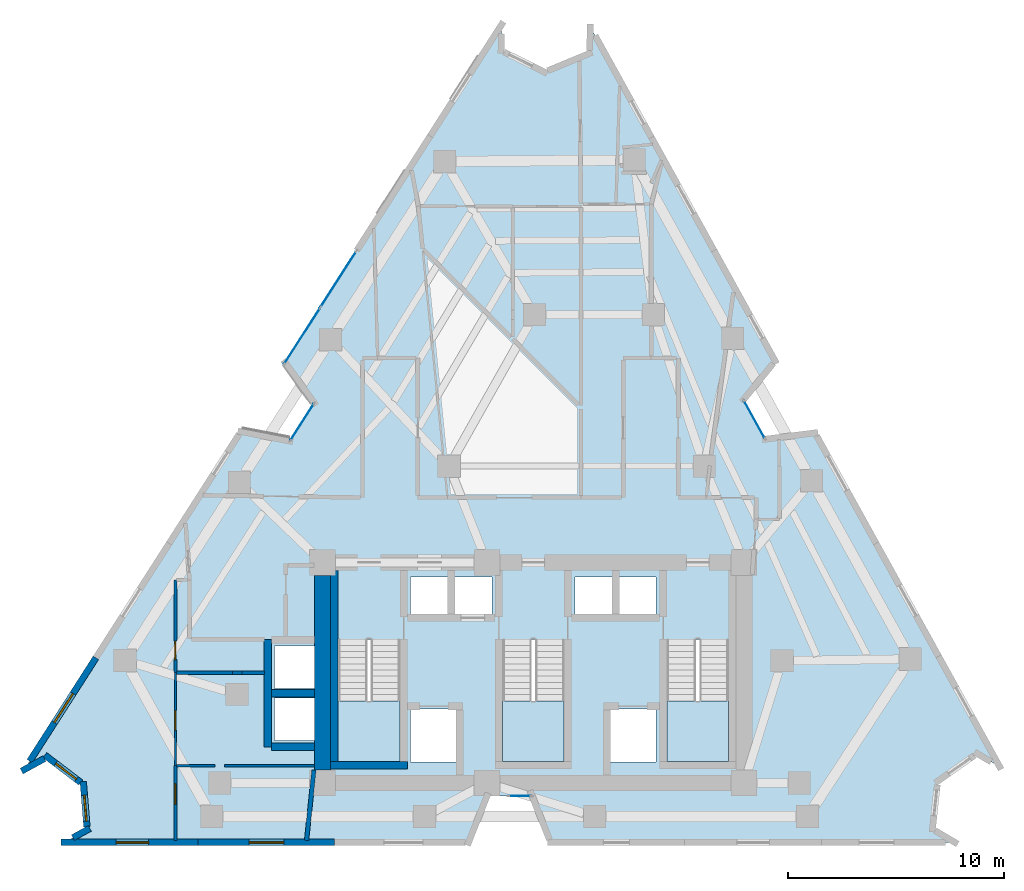
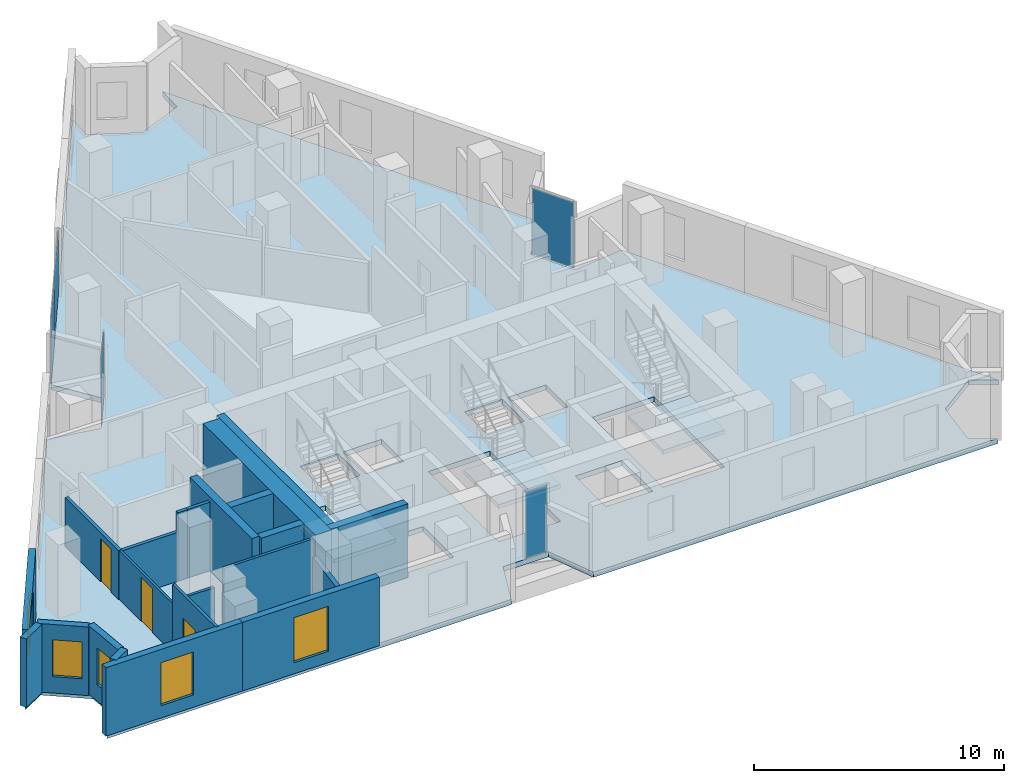
# One storey, part 5 of 10: 22 walls, 5 plates, 5 windows, 4 slabs, 3 doors, 8 openings, 7 elements without a shape of their own.
"""IFC4 building model written with IfcOpenShell, lengths in metres."""

from ifc_helpers import new_model, si_unit, direction, frame, frame_2d, origin, origin_2d, place, context, subcontext, project, spatial, polyline, rectangle, outline, extrude, material, layer, layer_set, type_object, element, fill, aggregate, save


model = new_model("IFC4")

# Units and contexts
model_context = context("Model", 3, precision=1e-05, world=origin(), true_north=direction((0.0, 1.0)))
body_context = subcontext(model_context, "Body", "Model", "MODEL_VIEW")
ifc_project = project(units=[si_unit("LENGTHUNIT", "METRE"), si_unit("AREAUNIT", "SQUARE_METRE"), si_unit("VOLUMEUNIT", "CUBIC_METRE"), si_unit("PLANEANGLEUNIT", "RADIAN"), si_unit("MASSUNIT", "GRAM", prefix="KILO")], contexts=[model_context])

# Site, building, storey
site_placement = place(None, origin())
site = spatial("IfcSite", under=ifc_project, at=site_placement, CompositionType="ELEMENT")
building_placement = place(site_placement, origin())
building = spatial("IfcBuilding", under=site, at=building_placement, Name="Almagre Mirador Tower", CompositionType="ELEMENT")
storey_placement = place(building_placement, frame((0.0, 0.0, 164.39990234375)))
storey = spatial("IfcBuildingStorey", under=building, at=storey_placement, Name="L42", CompositionType="ELEMENT", Elevation=164.39990234375)

# Curtain wall, plate
ifc_material_1 = material(Name="Black anodized aluminium", Category="aluminium")
ifc_layer_1 = layer(ifc_material_1, 0.169921875)
ifc_layer_set_1 = layer_set([ifc_layer_1], Name="Black anodized aluminium")
curtain_wall_type_1 = type_object("IfcCurtainWallType", Name="CW-CRS-SYS", PredefinedType="NOTDEFINED", material=ifc_layer_set_1)
curtain_wall_1_placement = place(storey_placement, origin())
curtain_wall_1 = element("IfcCurtainWall", 1, at=curtain_wall_1_placement, inside=storey, type_object=curtain_wall_type_1, Name="L42 vertical crease curtain wall 01", PredefinedType="NOTDEFINED")
ifc_material_2 = material(Name="Dark solar-control laminated hurricane glass", Category="glass")
ifc_layer_2 = layer(ifc_material_2, 0.028076171875)
ifc_layer_set_2 = layer_set([ifc_layer_2], Name="Dark solar-control laminated hurricane glass")
plate_type_1 = type_object("IfcPlateType", Name="PLT-GLZ-28", PredefinedType="CURTAIN_PANEL", material=ifc_layer_set_2)
plate_1_placement = place(storey_placement, frame((26.610107421875, 21.239990234375, 0.06005859375), z_axis=(0.0, 0.0, 1.0), x_axis=(0.539596564827, 0.841923718176, 0.0)))
plate_1 = element("IfcPlate", 2, at=plate_1_placement, type_object=plate_type_1, Name="CW-4 panel 1.1", PredefinedType="CURTAIN_PANEL", context=body_context, shape_type="SweptSolid", body=[
    extrude(rectangle(XDim=1.970458984375, YDim=0.028076171875, at=origin_2d()), origin(), (0.0, 0.0, 1.0), 3.22998046875),
])
aggregate(curtain_wall_1, [plate_1])

curtain_wall_2_placement = place(storey_placement, origin())
curtain_wall_2 = element("IfcCurtainWall", 3, at=curtain_wall_2_placement, inside=storey, type_object=curtain_wall_type_1, Name="L42 vertical crease curtain wall 03", PredefinedType="NOTDEFINED")
plate_2_placement = place(storey_placement, frame((47.51904296875, 21.35888671875, 0.06005859375), z_axis=(0.0, 0.0, 1.0), x_axis=(0.48434204979, -0.874878722341, 0.0)))
plate_2 = element("IfcPlate", 4, at=plate_2_placement, type_object=plate_type_1, Name="CW-4 panel 1.1", PredefinedType="CURTAIN_PANEL", context=body_context, shape_type="SweptSolid", body=[
    extrude(rectangle(XDim=1.969482421875, YDim=0.028076171875, at=origin_2d()), origin(), (0.0, 0.0, 1.0), 3.22998046875),
])
aggregate(curtain_wall_2, [plate_2])

curtain_wall_3_placement = place(storey_placement, origin())
curtain_wall_3 = element("IfcCurtainWall", 5, at=curtain_wall_3_placement, inside=storey, type_object=curtain_wall_type_1, Name="L42 vertical crease curtain wall 04", PredefinedType="NOTDEFINED")
plate_3_placement = place(storey_placement, frame((36.677490234375, 3.949951171875, 0.06005859375), z_axis=(0.0, 0.0, 1.0), x_axis=(-1.0, 0.0, 0.0)))
plate_3 = element("IfcPlate", 6, at=plate_3_placement, type_object=plate_type_1, Name="CW-4 panel 1.1", PredefinedType="CURTAIN_PANEL", context=body_context, shape_type="SweptSolid", body=[
    extrude(rectangle(XDim=1.014892578125, YDim=0.028076171875, at=origin_2d()), origin(), (0.0, 0.0, 1.0), 3.22998046875),
])
aggregate(curtain_wall_3, [plate_3])

# Curtain wall, plates
ifc_material_3 = material(Name="Black anodized aluminium", Category="aluminium")
ifc_layer_3 = layer(ifc_material_3, 0.199951171875)
ifc_layer_set_3 = layer_set([ifc_layer_3], Name="Black anodized aluminium")
curtain_wall_type_2 = type_object("IfcCurtainWallType", Name="CW-RES-H-SYS", PredefinedType="NOTDEFINED", material=ifc_layer_set_3)
curtain_wall_4_placement = place(storey_placement, origin())
curtain_wall_4 = element("IfcCurtainWall", 7, at=curtain_wall_4_placement, inside=storey, type_object=curtain_wall_type_2, Name="L42 curtain wall run 02", PredefinedType="NOTDEFINED")
ifc_material_4 = material(Name="Dark solar-control laminated hurricane glass", Category="glass")
ifc_layer_4 = layer(ifc_material_4, 0.035888671875)
ifc_layer_set_4 = layer_set([ifc_layer_4], Name="Dark solar-control laminated hurricane glass")
plate_type_2 = type_object("IfcPlateType", Name="PLT-GLZ-36", PredefinedType="CURTAIN_PANEL", material=ifc_layer_set_4)
plate_4_placement = place(storey_placement, frame((26.605712890625, 25.218017578125, 0.06494140625), z_axis=(0.0, 0.0, 1.0), x_axis=(0.539522040187, 0.841971477042, 0.0)))
plate_4 = element("IfcPlate", 8, at=plate_4_placement, type_object=plate_type_2, Name="CW-3 panel 1.1", PredefinedType="CURTAIN_PANEL", context=body_context, shape_type="SweptSolid", body=[
    extrude(rectangle(XDim=3.04345703125, YDim=0.035888671875, at=origin_2d()), origin(), (0.0, 0.0, 1.0), 3.219970703125),
])
plate_5_placement = place(storey_placement, frame((28.28271484375, 27.83544921875, 0.06494140625), z_axis=(0.0, 0.0, 1.0), x_axis=(0.539522040187, 0.841971477042, 0.0)))
plate_5 = element("IfcPlate", 9, at=plate_5_placement, type_object=plate_type_2, Name="CW-3 panel 2.1", PredefinedType="CURTAIN_PANEL", context=body_context, shape_type="SweptSolid", body=[
    extrude(rectangle(XDim=3.04345703125, YDim=0.035888671875, at=origin_2d()), origin(), (0.0, 0.0, 1.0), 3.219970703125),
])
aggregate(curtain_wall_4, [plate_4, plate_5])

# Slab
ifc_material_5 = material(Name="Concrete C45/55", Category="concrete")
ifc_layer_5 = layer(ifc_material_5, 0.25)
ifc_layer_set_5 = layer_set([ifc_layer_5], Name="Concrete C45/55")
slab_type_1 = type_object("IfcSlabType", Name="SLB-FLR-250", PredefinedType="FLOOR", material=ifc_layer_set_5)
slab_1_placement = place(storey_placement, frame((0.0, 0.0, -0.25)))
element("IfcSlab", 10, at=slab_1_placement, inside=storey, type_object=slab_type_1, Name="L42 structural floor slab", PredefinedType="FLOOR", context=body_context, shape_type="SweptSolid", body=[
    extrude(outline(polyline([(13.758056640625, 5.16796875), (14.823974609375, 5.7509765625), (16.49609375, 4.47705078125), (16.666015625, 2.383056640625), (15.60009765625, 1.800048828125), (34.300048828125, 1.800048828125), (35.155029296875, 3.949951171875), (37.2451171875, 3.949951171875), (38.10009765625, 1.800048828125), (56.800048828125, 1.800048828125), (55.7529296875, 2.4169921875), (55.992919921875, 4.634033203125), (57.81689453125, 5.9169921875), (58.863037109375, 5.300048828125), (50.320068359375, 20.738037109375), (48.02490234375, 20.445068359375), (47.012939453125, 22.27294921875), (48.47998046875, 24.06201171875), (39.93701171875, 39.5), (39.89794921875, 38.285888671875), (37.820068359375, 37.423095703125), (35.802978515625, 38.41796875), (35.842041015625, 39.632080078125), (25.824951171875, 24.0), (27.174072265625, 22.1201171875), (26.0458984375, 20.360107421875), (23.77490234375, 20.800048828125), (13.758056640625, 5.16796875)]), holes=[polyline([(43.47509765625, 5.550048828125), (43.47509765625, 11.196044921875), (46.324951171875, 11.196044921875), (46.324951171875, 5.550048828125), (43.47509765625, 5.550048828125)]), polyline([(40.820068359375, 5.52001953125), (40.820068359375, 7.97998046875), (42.97998046875, 7.97998046875), (42.97998046875, 5.52001953125), (40.820068359375, 5.52001953125)]), polyline([(41.219970703125, 12.320068359375), (41.219970703125, 14.080078125), (42.97998046875, 14.080078125), (42.97998046875, 12.320068359375), (41.219970703125, 12.320068359375)]), polyline([(39.219970703125, 12.320068359375), (39.219970703125, 14.080078125), (40.97998046875, 14.080078125), (40.97998046875, 12.320068359375), (39.219970703125, 12.320068359375)]), polyline([(35.875, 11.196044921875), (38.72509765625, 11.196044921875), (38.72509765625, 5.550048828125), (35.875, 5.550048828125), (35.875, 11.196044921875)]), polyline([(35.3798828125, 12.320068359375), (33.6201171875, 12.320068359375), (33.6201171875, 14.080078125), (35.3798828125, 14.080078125), (35.3798828125, 12.320068359375)]), polyline([(33.780029296875, 5.52001953125), (31.6201171875, 5.52001953125), (31.6201171875, 7.97998046875), (33.780029296875, 7.97998046875), (33.780029296875, 5.52001953125)]), polyline([(31.6201171875, 12.320068359375), (31.6201171875, 14.080078125), (33.3798828125, 14.080078125), (33.3798828125, 12.320068359375), (31.6201171875, 12.320068359375)]), polyline([(28.27490234375, 5.550048828125), (28.27490234375, 11.196044921875), (31.125, 11.196044921875), (31.125, 5.550048828125), (28.27490234375, 5.550048828125)]), polyline([(25.320068359375, 8.919921875), (25.320068359375, 10.8798828125), (27.3798828125, 10.8798828125), (27.3798828125, 8.919921875), (25.320068359375, 8.919921875)]), polyline([(27.3798828125, 6.52001953125), (25.320068359375, 6.52001953125), (25.320068359375, 8.47998046875), (27.3798828125, 8.47998046875), (27.3798828125, 6.52001953125)])]), origin(), (0.0, 0.0, 1.0), 0.25),
])

# Stair, slab
ifc_material_6 = material(Name="Concrete C45/55", Category="concrete")
stair_type = type_object("IfcStairType", Name="STR-DL-3600", PredefinedType="HALF_TURN_STAIR", material=ifc_material_6)
stair_1_placement = place(storey_placement, origin())
stair_1 = element("IfcStair", 11, at=stair_1_placement, inside=storey, type_object=stair_type, Name="L42 Protected exit stair ST-1", PredefinedType="HALF_TURN_STAIR")
ifc_material_7 = material(Name="Concrete C45/55", Category="concrete")
ifc_layer_6 = layer(ifc_material_7, 0.199951171875)
ifc_layer_set_6 = layer_set([ifc_layer_6], Name="Concrete C45/55")
slab_type_2 = type_object("IfcSlabType", Name="SLB-LND-200", PredefinedType="LANDING", material=ifc_layer_set_6)
slab_2_placement = place(storey_placement, frame((0.0, 0.0, 1.60009765625)))
slab_2 = element("IfcSlab", 12, at=slab_2_placement, type_object=slab_type_2, Name="ST-1 landing 1", PredefinedType="LANDING", context=body_context, shape_type="SweptSolid", body=[
    extrude(outline(polyline([(28.27490234375, 8.35009765625), (28.27490234375, 5.550048828125), (31.125, 5.550048828125), (31.125, 8.35009765625), (28.27490234375, 8.35009765625)])), origin(), (0.0, 0.0, 1.0), 0.199951171875),
])
aggregate(stair_1, [slab_2])

stair_2_placement = place(storey_placement, origin())
stair_2 = element("IfcStair", 13, at=stair_2_placement, inside=storey, type_object=stair_type, Name="L42 Protected exit stair ST-2", PredefinedType="HALF_TURN_STAIR")
slab_3_placement = place(storey_placement, frame((0.0, 0.0, 1.60009765625)))
slab_3 = element("IfcSlab", 14, at=slab_3_placement, type_object=slab_type_2, Name="ST-2 landing 1", PredefinedType="LANDING", context=body_context, shape_type="SweptSolid", body=[
    extrude(outline(polyline([(35.875, 8.35009765625), (35.875, 5.550048828125), (38.72509765625, 5.550048828125), (38.72509765625, 8.35009765625), (35.875, 8.35009765625)])), origin(), (0.0, 0.0, 1.0), 0.199951171875),
])
aggregate(stair_2, [slab_3])

stair_3_placement = place(storey_placement, origin())
stair_3 = element("IfcStair", 15, at=stair_3_placement, inside=storey, type_object=stair_type, Name="L42 Protected exit stair ST-3", PredefinedType="HALF_TURN_STAIR")
slab_4_placement = place(storey_placement, frame((0.0, 0.0, 1.60009765625)))
slab_4 = element("IfcSlab", 16, at=slab_4_placement, type_object=slab_type_2, Name="ST-3 landing 1", PredefinedType="LANDING", context=body_context, shape_type="SweptSolid", body=[
    extrude(outline(polyline([(43.47509765625, 8.35009765625), (43.47509765625, 5.550048828125), (46.324951171875, 5.550048828125), (46.324951171875, 8.35009765625), (43.47509765625, 8.35009765625)])), origin(), (0.0, 0.0, 1.0), 0.199951171875),
])
aggregate(stair_3, [slab_4])

# Wall, opening, window
ifc_material_8 = material(Name="Precast concrete C50/60", Category="concrete")
ifc_layer_7 = layer(ifc_material_8, 0.300048828125)
ifc_layer_set_7 = layer_set([ifc_layer_7], Name="Precast concrete C50/60")
wall_type_1 = type_object("IfcWallType", Name="WAL-EXT-300", PredefinedType="SOLIDWALL", material=ifc_layer_set_7)
wall_1_placement = place(storey_placement, frame((28.11328125, 1.800048828125, 0.0), z_axis=(0.0, 0.0, 1.0), x_axis=(-1.0, 0.0, 0.0)))
wall_1 = element("IfcWall", 17, at=wall_1_placement, inside=storey, type_object=wall_type_1, Name="L42 expressed almagre precast frame wall 27", PredefinedType="SOLIDWALL", context=body_context, shape_type="SweptSolid", body=[
    extrude(rectangle(XDim=6.32666015625, YDim=0.300048828125, at=frame_2d((3.163330078125, 0.0))), origin(), (0.0, 0.0, 1.0), 3.35009765625),
])
opening_1_placement = place(wall_1_placement, frame((2.35009765625, 0.0, 0.550048828125)))
opening_1 = element("IfcOpeningElement", 18, at=opening_1_placement, cuts=wall_1, Name="Opening WN-06", PredefinedType="OPENING", context=body_context, shape_type="SweptSolid", body=[
    extrude(rectangle(XDim=1.60009765625, YDim=2.199951171875, at=frame_2d((0.800048828125, 1.10009765625))), frame((0.0, 0.159902, 0.0), z_axis=(0.0, -1.0, 0.0), x_axis=(1.0, 0.0, 0.0)), (0.0, 0.0, 1.0), 0.320049),
])
ifc_material_9 = material(Name="Dark solar-control laminated hurricane glass", Category="glass")
window_type_1 = type_object("IfcWindowType", Name="WIN-1600X2200", PartitioningType="DOUBLE_PANEL_VERTICAL", PredefinedType="WINDOW", material=ifc_material_9)
window_1_placement = place(opening_1_placement, origin())
window_1 = element("IfcWindow", 19, at=window_1_placement, inside=storey, type_object=window_type_1, Name="L42 recessed hurricane window L42-UA-KT", OverallHeight=2.199951171875, OverallWidth=1.60009765625, PartitioningType="SINGLE_PANEL", PredefinedType="WINDOW", context=body_context, shape_type="SweptSolid", body=[
    extrude(rectangle(XDim=1.60009765625, YDim=2.199951171875, at=frame_2d((0.800048828125, 1.10009765625))), frame((0.0, 0.030029296875, 0.0), z_axis=(0.0, -1.0, 0.0), x_axis=(1.0, 0.0, 0.0)), (0.0, 0.0, 1.0), 0.06005859375),
])
fill(opening_1, window_1)

wall_2_placement = place(storey_placement, frame((21.78662109375, 1.800048828125, 0.0), z_axis=(0.0, 0.0, 1.0), x_axis=(-1.0, 0.0, 0.0)))
wall_2 = element("IfcWall", 20, at=wall_2_placement, inside=storey, type_object=wall_type_1, Name="L42 expressed almagre precast frame wall 28", PredefinedType="SOLIDWALL", context=body_context, shape_type="SweptSolid", body=[
    extrude(rectangle(XDim=6.32666015625, YDim=0.300048828125, at=frame_2d((3.163330078125, 0.0))), origin(), (0.0, 0.0, 1.0), 3.35009765625),
])
opening_2_placement = place(wall_2_placement, frame((2.27490234375, 0.0, 0.60009765625)))
opening_2 = element("IfcOpeningElement", 21, at=opening_2_placement, cuts=wall_2, Name="Opening WN-03", PredefinedType="OPENING", context=body_context, shape_type="SweptSolid", body=[
    extrude(rectangle(XDim=1.5, YDim=2.10009765625, at=frame_2d((0.75, 1.050048828125))), frame((0.0, 0.159902, 0.0), z_axis=(0.0, -1.0, 0.0), x_axis=(1.0, 0.0, 0.0)), (0.0, 0.0, 1.0), 0.320049),
])
ifc_material_10 = material(Name="Dark solar-control laminated hurricane glass", Category="glass")
window_type_2 = type_object("IfcWindowType", Name="WIN-1500X2100", PartitioningType="DOUBLE_PANEL_VERTICAL", PredefinedType="WINDOW", material=ifc_material_10)
window_2_placement = place(opening_2_placement, origin())
window_2 = element("IfcWindow", 22, at=window_2_placement, inside=storey, type_object=window_type_2, Name="L42 recessed hurricane window L42-UA-LV", OverallHeight=2.10009765625, OverallWidth=1.5, PartitioningType="SINGLE_PANEL", PredefinedType="WINDOW", context=body_context, shape_type="SweptSolid", body=[
    extrude(rectangle(XDim=1.5, YDim=2.10009765625, at=frame_2d((0.75, 1.050048828125))), frame((0.0, 0.030029296875, 0.0), z_axis=(0.0, -1.0, 0.0), x_axis=(1.0, 0.0, 0.0)), (0.0, 0.0, 1.0), 0.06005859375),
])
fill(opening_2, window_2)

# Wall
wall_3_placement = place(storey_placement, frame((16.012451171875, 2.025390625, 0.0), z_axis=(0.0, 0.0, 1.0), x_axis=(0.877262241919, 0.480011415389, 0.0)))
element("IfcWall", 23, at=wall_3_placement, inside=storey, type_object=wall_type_1, Name="L42 expressed almagre precast frame wall 29", PredefinedType="SOLIDWALL", context=body_context, shape_type="SweptSolid", body=[
    extrude(rectangle(XDim=0.885009765625, YDim=0.300048828125, at=frame_2d((0.4423828125, 0.0))), origin(), (0.0, 0.0, 1.0), 3.35009765625),
])

# Wall, opening, window
wall_4_placement = place(storey_placement, frame((16.654296875, 2.527587890625, 0.0), z_axis=(0.0, 0.0, 1.0), x_axis=(-0.080962879454, 0.996717117416, 0.0)))
wall_4 = element("IfcWall", 24, at=wall_4_placement, inside=storey, type_object=wall_type_1, Name="L42 expressed almagre precast frame wall 30", PredefinedType="SOLIDWALL", context=body_context, shape_type="SweptSolid", body=[
    extrude(rectangle(XDim=2.095703125, YDim=0.300048828125, at=frame_2d((1.0478515625, 0.0))), origin(), (0.0, 0.0, 1.0), 3.35009765625),
])
opening_3_placement = place(wall_4_placement, frame((0.264892578125, 0.0, 0.800048828125)))
opening_3 = element("IfcOpeningElement", 25, at=opening_3_placement, cuts=wall_4, Name="Opening WN-04", PredefinedType="OPENING", context=body_context, shape_type="SweptSolid", body=[
    extrude(rectangle(XDim=1.199951171875, YDim=1.800048828125, at=frame_2d((0.60009765625, 0.89990234375))), frame((0.0, 0.159902, 0.0), z_axis=(0.0, -1.0, 0.0), x_axis=(1.0, 0.0, 0.0)), (0.0, 0.0, 1.0), 0.320049),
])
ifc_material_11 = material(Name="Dark solar-control laminated hurricane glass", Category="glass")
window_type_3 = type_object("IfcWindowType", Name="WIN-1200X1800", PartitioningType="SINGLE_PANEL", PredefinedType="WINDOW", material=ifc_material_11)
window_3_placement = place(opening_3_placement, origin())
window_3 = element("IfcWindow", 26, at=window_3_placement, inside=storey, type_object=window_type_3, Name="L42 recessed hurricane window L42-UA-LV", OverallHeight=1.800048828125, OverallWidth=1.199951171875, PartitioningType="SINGLE_PANEL", PredefinedType="WINDOW", context=body_context, shape_type="SweptSolid", body=[
    extrude(rectangle(XDim=1.199951171875, YDim=1.800048828125, at=frame_2d((0.60009765625, 0.89990234375))), frame((0.0, 0.030029296875, 0.0), z_axis=(0.0, -1.0, 0.0), x_axis=(1.0, 0.0, 0.0)), (0.0, 0.0, 1.0), 0.06005859375),
])
fill(opening_3, window_3)

wall_5_placement = place(storey_placement, frame((16.376708984375, 4.56787109375, 0.0), z_axis=(0.0, 0.0, 1.0), x_axis=(-0.795383499791, 0.606106499107, 0.0)))
wall_5 = element("IfcWall", 27, at=wall_5_placement, inside=storey, type_object=wall_type_1, Name="L42 expressed almagre precast frame wall 31", PredefinedType="SOLIDWALL", context=body_context, shape_type="SweptSolid", body=[
    extrude(rectangle(XDim=2.092041015625, YDim=0.300048828125, at=frame_2d((1.0458984375, 0.0))), origin(), (0.0, 0.0, 1.0), 3.35009765625),
])
opening_4_placement = place(wall_5_placement, frame((0.260009765625, 0.0, 0.800048828125)))
opening_4 = element("IfcOpeningElement", 28, at=opening_4_placement, cuts=wall_5, Name="Opening WN-04", PredefinedType="OPENING", context=body_context, shape_type="SweptSolid", body=[
    extrude(rectangle(XDim=1.199951171875, YDim=1.800048828125, at=frame_2d((0.60009765625, 0.89990234375))), frame((0.0, 0.159902, 0.0), z_axis=(0.0, -1.0, 0.0), x_axis=(1.0, 0.0, 0.0)), (0.0, 0.0, 1.0), 0.320049),
])
window_4_placement = place(opening_4_placement, origin())
window_4 = element("IfcWindow", 29, at=window_4_placement, inside=storey, type_object=window_type_3, Name="L42 recessed hurricane window L42-UA-LV", OverallHeight=1.800048828125, OverallWidth=1.199951171875, PartitioningType="SINGLE_PANEL", PredefinedType="WINDOW", context=body_context, shape_type="SweptSolid", body=[
    extrude(rectangle(XDim=1.199951171875, YDim=1.800048828125, at=frame_2d((0.60009765625, 0.89990234375))), frame((0.0, 0.030029296875, 0.0), z_axis=(0.0, -1.0, 0.0), x_axis=(1.0, 0.0, 0.0)), (0.0, 0.0, 1.0), 0.06005859375),
])
fill(opening_4, window_4)

# Wall
wall_6_placement = place(storey_placement, frame((14.69677734375, 5.681396484375, 0.0), z_axis=(0.0, 0.0, 1.0), x_axis=(-0.877355211776, -0.47984146587, 0.0)))
element("IfcWall", 30, at=wall_6_placement, inside=storey, type_object=wall_type_1, Name="L42 expressed almagre precast frame wall 32", PredefinedType="SOLIDWALL", context=body_context, shape_type="SweptSolid", body=[
    extrude(rectangle(XDim=1.2099609375, YDim=0.300048828125, at=frame_2d((0.60498046875, 0.0))), origin(), (0.0, 0.0, 1.0), 3.35009765625),
])

# Wall, opening, window
wall_7_placement = place(storey_placement, frame((14.01171875, 5.563720703125, 0.0), z_axis=(0.0, 0.0, 1.0), x_axis=(0.539510437932, 0.841978911471, 0.0)))
wall_7 = element("IfcWall", 31, at=wall_7_placement, inside=storey, type_object=wall_type_1, Name="L42 expressed almagre precast frame wall 33", PredefinedType="SOLIDWALL", context=body_context, shape_type="SweptSolid", body=[
    extrude(rectangle(XDim=5.671875, YDim=0.300048828125, at=frame_2d((2.8359375, 0.0))), origin(), (0.0, 0.0, 1.0), 3.35009765625),
])
opening_5_placement = place(wall_7_placement, frame((2.114990234375, 0.0, 0.550048828125)))
opening_5 = element("IfcOpeningElement", 32, at=opening_5_placement, cuts=wall_7, Name="Opening WN-06", PredefinedType="OPENING", context=body_context, shape_type="SweptSolid", body=[
    extrude(rectangle(XDim=1.60009765625, YDim=2.199951171875, at=frame_2d((0.800048828125, 1.10009765625))), frame((0.0, 0.159902, 0.0), z_axis=(0.0, -1.0, 0.0), x_axis=(1.0, 0.0, 0.0)), (0.0, 0.0, 1.0), 0.320049),
])
window_5_placement = place(opening_5_placement, origin())
window_5 = element("IfcWindow", 33, at=window_5_placement, inside=storey, type_object=window_type_1, Name="L42 recessed hurricane window L42-UA-LV", OverallHeight=2.199951171875, OverallWidth=1.60009765625, PartitioningType="SINGLE_PANEL", PredefinedType="WINDOW", context=body_context, shape_type="SweptSolid", body=[
    extrude(rectangle(XDim=1.60009765625, YDim=2.199951171875, at=frame_2d((0.800048828125, 1.10009765625))), frame((0.0, 0.030029296875, 0.0), z_axis=(0.0, -1.0, 0.0), x_axis=(1.0, 0.0, 0.0)), (0.0, 0.0, 1.0), 0.06005859375),
])
fill(opening_5, window_5)

# Wall, opening, door
ifc_material_12 = material(Name="Gypsum acoustic stud partition", Category="other")
ifc_layer_8 = layer(ifc_material_12, 0.10009765625)
ifc_layer_set_8 = layer_set([ifc_layer_8], Name="Gypsum acoustic stud partition")
wall_type_2 = type_object("IfcWallType", Name="WAL-PRT-100-CLS", PredefinedType="PARTITIONING", material=ifc_layer_set_8)
wall_8_placement = place(storey_placement, frame((20.75, 5.35009765625, 0.0), z_axis=(0.0, 0.0, 1.0), x_axis=(0.0, 1.0, 0.0)))
wall_8 = element("IfcWall", 34, at=wall_8_placement, inside=storey, type_object=wall_type_2, Name="L42 interior partition 023", PredefinedType="PARTITIONING", context=body_context, shape_type="SweptSolid", body=[
    extrude(rectangle(XDim=4.2998046875, YDim=0.10009765625, at=frame_2d((2.14990234375, 0.0))), origin(), (0.0, 0.0, 1.0), 2.39306640625),
])
opening_6_placement = place(wall_8_placement, frame((1.64208984375, 0.0, 0.0)))
opening_6 = element("IfcOpeningElement", 35, at=opening_6_placement, cuts=wall_8, Name="Opening UD-02", PredefinedType="OPENING", context=body_context, shape_type="SweptSolid", body=[
    extrude(rectangle(XDim=0.89990234375, YDim=2.14990234375, at=frame_2d((0.449951171875, 1.074951171875))), frame((0.0, 0.060049, 0.0), z_axis=(0.0, -1.0, 0.0), x_axis=(1.0, 0.0, 0.0)), (0.0, 0.0, 1.0), 0.120098),
])
ifc_material_13 = material(Name="Solid American walnut timber", Category="wood")
door_type_1 = type_object("IfcDoorType", Name="DOR-UNR-900X2150", OperationType="NOTDEFINED", PredefinedType="DOOR", material=ifc_material_13)
door_1_placement = place(opening_6_placement, origin())
door_1 = element("IfcDoor", 36, at=door_1_placement, inside=storey, type_object=door_type_1, Name="DR-1357 L42 interior door L42-UA-LV to L42-UA-MB", OperationType="SINGLE_SWING_RIGHT", OverallHeight=2.14990234375, OverallWidth=0.89990234375, PredefinedType="DOOR", context=body_context, shape_type="SweptSolid", body=[
    extrude(rectangle(XDim=0.89990234375, YDim=2.14990234375, at=frame_2d((0.449951171875, 1.074951171875))), frame((0.0, 0.02490234375, 0.0), z_axis=(0.0, -1.0, 0.0), x_axis=(1.0, 0.0, 0.0)), (0.0, 0.0, 1.0), 0.050048828125),
])
fill(opening_6, door_1)

ifc_material_14 = material(Name="Gypsum acoustic stud partition", Category="other")
ifc_layer_9 = layer(ifc_material_14, 0.125)
ifc_layer_set_9 = layer_set([ifc_layer_9], Name="Gypsum acoustic stud partition")
wall_type_3 = type_object("IfcWallType", Name="WAL-PRT-125-UTL", PredefinedType="PARTITIONING", material=ifc_layer_set_9)
wall_9_placement = place(storey_placement, frame((20.75, 1.89990234375, 0.0), z_axis=(0.0, 0.0, 1.0), x_axis=(0.0, 1.0, 0.0)))
wall_9 = element("IfcWall", 37, at=wall_9_placement, inside=storey, type_object=wall_type_3, Name="L42 interior partition 022", PredefinedType="PARTITIONING", context=body_context, shape_type="SweptSolid", body=[
    extrude(rectangle(XDim=3.4501953125, YDim=0.125, at=frame_2d((1.72509765625, 0.0))), origin(), (0.0, 0.0, 1.0), 3.35009765625),
])
opening_7_placement = place(wall_9_placement, frame((1.6640625, 0.0, 0.0)))
opening_7 = element("IfcOpeningElement", 38, at=opening_7_placement, cuts=wall_9, Name="Opening UD-01", PredefinedType="OPENING", context=body_context, shape_type="SweptSolid", body=[
    extrude(rectangle(XDim=0.949951171875, YDim=2.199951171875, at=frame_2d((0.47509765625, 1.10009765625))), frame((0.0, 0.0725, 0.0), z_axis=(0.0, -1.0, 0.0), x_axis=(1.0, 0.0, 0.0)), (0.0, 0.0, 1.0), 0.145),
])
ifc_material_15 = material(Name="Solid American walnut timber", Category="wood")
door_type_2 = type_object("IfcDoorType", Name="DOR-UNR-950X2200", OperationType="NOTDEFINED", PredefinedType="DOOR", material=ifc_material_15)
door_2_placement = place(opening_7_placement, origin())
door_2 = element("IfcDoor", 39, at=door_2_placement, inside=storey, type_object=door_type_2, Name="DR-1355 L42 interior door L42-UA-LV to L42-UA-KT", OperationType="SINGLE_SWING_RIGHT", OverallHeight=2.199951171875, OverallWidth=0.949951171875, PredefinedType="DOOR", context=body_context, shape_type="SweptSolid", body=[
    extrude(rectangle(XDim=0.949951171875, YDim=2.199951171875, at=frame_2d((0.47509765625, 1.10009765625))), frame((0.0, 0.02490234375, 0.0), z_axis=(0.0, -1.0, 0.0), x_axis=(1.0, 0.0, 0.0)), (0.0, 0.0, 1.0), 0.050048828125),
])
fill(opening_7, door_2)

# Walls
wall_10_placement = place(storey_placement, frame((22.580078125, 5.35009765625, 0.0), z_axis=(0.0, 0.0, 1.0), x_axis=(-1.0, 0.0, 0.0)))
element("IfcWall", 40, at=wall_10_placement, inside=storey, type_object=wall_type_3, Name="L42 interior partition 026", PredefinedType="PARTITIONING", context=body_context, shape_type="SweptSolid", body=[
    extrude(rectangle(XDim=1.782470703125, YDim=0.125, at=frame_2d((0.89111328125, 0.0))), origin(), (0.0, 0.0, 1.0), 2.570068359375),
])
wall_11_placement = place(storey_placement, frame((27.175048828125, 5.35009765625, 0.0), z_axis=(0.0, 0.0, 1.0), x_axis=(-1.0, 0.0, 0.0)))
element("IfcWall", 41, at=wall_11_placement, inside=storey, type_object=wall_type_3, Name="L42 interior partition 027", PredefinedType="PARTITIONING", context=body_context, shape_type="SweptSolid", body=[
    extrude(rectangle(XDim=4.155029296875, YDim=0.125, at=frame_2d((2.07763671875, 0.0))), origin(), (0.0, 0.0, 1.0), 3.35009765625),
])

# Wall, opening, door
ifc_material_16 = material(Name="Gypsum acoustic stud partition", Category="other")
ifc_layer_10 = layer(ifc_material_16, 0.14990234375)
ifc_layer_set_10 = layer_set([ifc_layer_10], Name="Gypsum acoustic stud partition")
wall_type_4 = type_object("IfcWallType", Name="WAL-PRT-150-STD", PredefinedType="PARTITIONING", material=ifc_layer_set_10)
wall_12_placement = place(storey_placement, frame((20.75, 9.64990234375, 0.0), z_axis=(0.0, 0.0, 1.0), x_axis=(0.0, 1.0, 0.0)))
wall_12 = element("IfcWall", 42, at=wall_12_placement, inside=storey, type_object=wall_type_4, Name="L42 interior partition 020", PredefinedType="PARTITIONING", context=body_context, shape_type="SweptSolid", body=[
    extrude(rectangle(XDim=4.2900390625, YDim=0.14990234375, at=frame_2d((2.14501953125, 0.0))), origin(), (0.0, 0.0, 1.0), 2.39306640625),
])
opening_8_placement = place(wall_12_placement, frame((0.608154296875, 0.0, 0.0)))
opening_8 = element("IfcOpeningElement", 43, at=opening_8_placement, cuts=wall_12, Name="Opening UD-04", PredefinedType="OPENING", context=body_context, shape_type="SweptSolid", body=[
    extrude(rectangle(XDim=0.85009765625, YDim=2.10009765625, at=frame_2d((0.425048828125, 1.050048828125))), frame((0.0, 0.084951, 0.0), z_axis=(0.0, -1.0, 0.0), x_axis=(1.0, 0.0, 0.0)), (0.0, 0.0, 1.0), 0.169902),
])
ifc_material_17 = material(Name="Moisture-resistant oak timber", Category="wood")
door_type_3 = type_object("IfcDoorType", Name="DOR-UNR-850X2100", OperationType="NOTDEFINED", PredefinedType="DOOR", material=ifc_material_17)
door_3_placement = place(opening_8_placement, origin())
door_3 = element("IfcDoor", 44, at=door_3_placement, inside=storey, type_object=door_type_3, Name="DR-1356 L42 interior door L42-UA-LV to L42-UA-HB", OperationType="SINGLE_SWING_LEFT", OverallHeight=2.10009765625, OverallWidth=0.85009765625, PredefinedType="DOOR", context=body_context, shape_type="SweptSolid", body=[
    extrude(rectangle(XDim=0.85009765625, YDim=2.10009765625, at=frame_2d((0.425048828125, 1.050048828125))), frame((0.0, 0.02490234375, 0.0), z_axis=(0.0, -1.0, 0.0), x_axis=(1.0, 0.0, 0.0)), (0.0, 0.0, 1.0), 0.050048828125),
])
fill(opening_8, door_3)

# Walls
wall_13_placement = place(storey_placement, frame((20.81005859375, 9.64990234375, 0.0), z_axis=(0.0, 0.0, 1.0), x_axis=(1.0, 0.0, 0.0)))
element("IfcWall", 45, at=wall_13_placement, inside=storey, type_object=wall_type_4, Name="L42 interior partition 024", PredefinedType="PARTITIONING", context=body_context, shape_type="SweptSolid", body=[
    extrude(rectangle(XDim=2.56982421875, YDim=0.14990234375, at=frame_2d((1.284912109375, 0.0))), origin(), (0.0, 0.0, 1.0), 2.39306640625),
])
wall_14_placement = place(storey_placement, frame((23.820068359375, 9.64990234375, 0.0), z_axis=(0.0, 0.0, 1.0), x_axis=(1.0, 0.0, 0.0)))
element("IfcWall", 46, at=wall_14_placement, inside=storey, type_object=wall_type_4, Name="L42 interior partition 025", PredefinedType="PARTITIONING", context=body_context, shape_type="SweptSolid", body=[
    extrude(rectangle(XDim=1.044921875, YDim=0.14990234375, at=frame_2d((0.5224609375, 0.0))), origin(), (0.0, 0.0, 1.0), 3.35009765625),
])
wall_15_placement = place(storey_placement, frame((23.3798828125, 9.64990234375, 0.0), z_axis=(0.0, 0.0, 1.0), x_axis=(1.0, 0.0, 0.0)))
element("IfcWall", 47, at=wall_15_placement, inside=storey, type_object=wall_type_4, Name="L42 interior partition 062", PredefinedType="PARTITIONING", context=body_context, shape_type="SweptSolid", body=[
    extrude(rectangle(XDim=0.440185546875, YDim=0.14990234375, at=frame_2d((0.22021484375, 0.0))), origin(), (0.0, 0.0, 1.0), 3.35009765625),
])
ifc_material_18 = material(Name="Gypsum acoustic stud partition", Category="other")
ifc_layer_11 = layer(ifc_material_18, 0.199951171875)
ifc_layer_set_11 = layer_set([ifc_layer_11], Name="Gypsum acoustic stud partition")
wall_type_5 = type_object("IfcWallType", Name="WAL-PRT-200-EI60", PredefinedType="PARTITIONING", material=ifc_layer_set_11)
wall_16_placement = place(storey_placement, frame((26.81396484375, 1.89892578125, 0.0), z_axis=(0.0, 0.0, 1.0), x_axis=(0.104043246785, 0.994572774008, 0.0)))
element("IfcWall", 48, at=wall_16_placement, inside=storey, type_object=wall_type_5, Name="L42 interior partition 028", PredefinedType="PARTITIONING", context=body_context, shape_type="SweptSolid", body=[
    extrude(rectangle(XDim=3.268798828125, YDim=0.199951171875, at=frame_2d((1.63427734375, 0.0))), origin(), (0.0, 0.0, 1.0), 2.570068359375),
])
ifc_material_19 = material(Name="Concrete C60/75", Category="concrete")
ifc_layer_12 = layer(ifc_material_19, 0.35009765625)
ifc_layer_set_12 = layer_set([ifc_layer_12], Name="Concrete C60/75")
wall_type_6 = type_object("IfcWallType", Name="WAL-SHF-350", PredefinedType="SOLIDWALL", material=ifc_layer_set_12)
wall_17_placement = place(storey_placement, frame((28.10009765625, 5.199951171875, 0.0), z_axis=(0.0, 0.0, 1.0), x_axis=(0.0, 1.0, 0.0)))
element("IfcWall", 49, at=wall_17_placement, inside=storey, type_object=wall_type_6, Name="L42 shaft wall ST1-W", PredefinedType="SOLIDWALL", context=body_context, shape_type="SweptSolid", body=[
    extrude(rectangle(XDim=9.175048828125, YDim=0.35009765625, at=frame_2d((4.58740234375, 0.0))), origin(), (0.0, 0.0, 1.0), 3.60009765625),
])
wall_18_placement = place(storey_placement, frame((27.925048828125, 5.375, 0.0), z_axis=(0.0, 0.0, 1.0), x_axis=(1.0, 0.0, 0.0)))
element("IfcWall", 50, at=wall_18_placement, inside=storey, type_object=wall_type_6, Name="L42 shaft wall ST1-S", PredefinedType="SOLIDWALL", context=body_context, shape_type="SweptSolid", body=[
    extrude(rectangle(XDim=3.550048828125, YDim=0.35009765625, at=frame_2d((1.77490234375, 0.0))), origin(), (0.0, 0.0, 1.0), 3.60009765625),
])
wall_19_placement = place(storey_placement, frame((25.02490234375, 6.22509765625, 0.0), z_axis=(0.0, 0.0, 1.0), x_axis=(0.0, 1.0, 0.0)))
element("IfcWall", 51, at=wall_19_placement, inside=storey, type_object=wall_type_6, Name="L42 shaft wall OL-W", PredefinedType="SOLIDWALL", context=body_context, shape_type="SweptSolid", body=[
    extrude(rectangle(XDim=4.949951171875, YDim=0.35009765625, at=frame_2d((2.47509765625, 0.0))), origin(), (0.0, 0.0, 1.0), 3.60009765625),
])
for number, where, z_axis, x_axis, name in (
    (52, (25.199951171875, 6.22509765625, 0.0), (0.0, 0.0, 1.0), (1.0, 0.0, 0.0), "L42 shaft wall OL-S"),
    (53, (25.199951171875, 8.699951171875, 0.0), (0.0, 0.0, 1.0), (1.0, 0.0, 0.0), "L42 shaft wall OL-M"),
):
    element("IfcWall", number, at=place(storey_placement, frame(where, z_axis=z_axis, x_axis=x_axis)), inside=storey, type_object=wall_type_6, Name=name, PredefinedType="SOLIDWALL", context=body_context, shape_type="SweptSolid", body=[
        extrude(rectangle(XDim=1.97509765625, YDim=0.35009765625, at=frame_2d((0.987548828125, 0.0))), origin(), (0.0, 0.0, 1.0), 3.60009765625),
    ])
ifc_material_20 = material(Name="Concrete C60/75", Category="concrete")
ifc_layer_13 = layer(ifc_material_20, 0.75)
ifc_layer_set_13 = layer_set([ifc_layer_13], Name="Concrete C60/75")
wall_type_7 = type_object("IfcWallType", Name="WAL-SHR-750", PredefinedType="SHEAR", material=ifc_layer_set_13)
wall_20_placement = place(storey_placement, frame((27.550048828125, 5.14990234375, 0.0), z_axis=(0.0, 0.0, 1.0), x_axis=(0.0, 1.0, 0.0)))
element("IfcWall", 54, at=wall_20_placement, inside=storey, type_object=wall_type_7, Name="L42 core shear wall W1", PredefinedType="SHEAR", context=body_context, shape_type="SweptSolid", body=[
    extrude(rectangle(XDim=9.0, YDim=0.75, at=frame_2d((4.5, 0.0))), origin(), (0.0, 0.0, 1.0), 3.60009765625),
])

save(model, "model.ifc")
